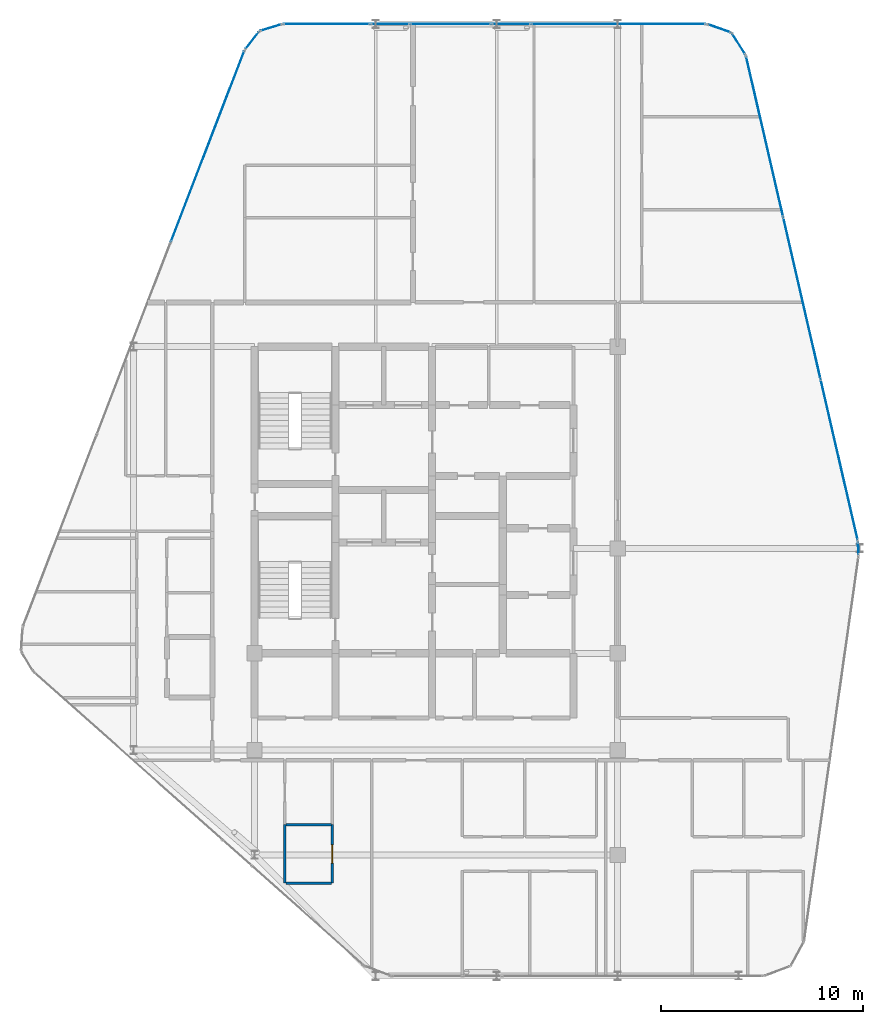
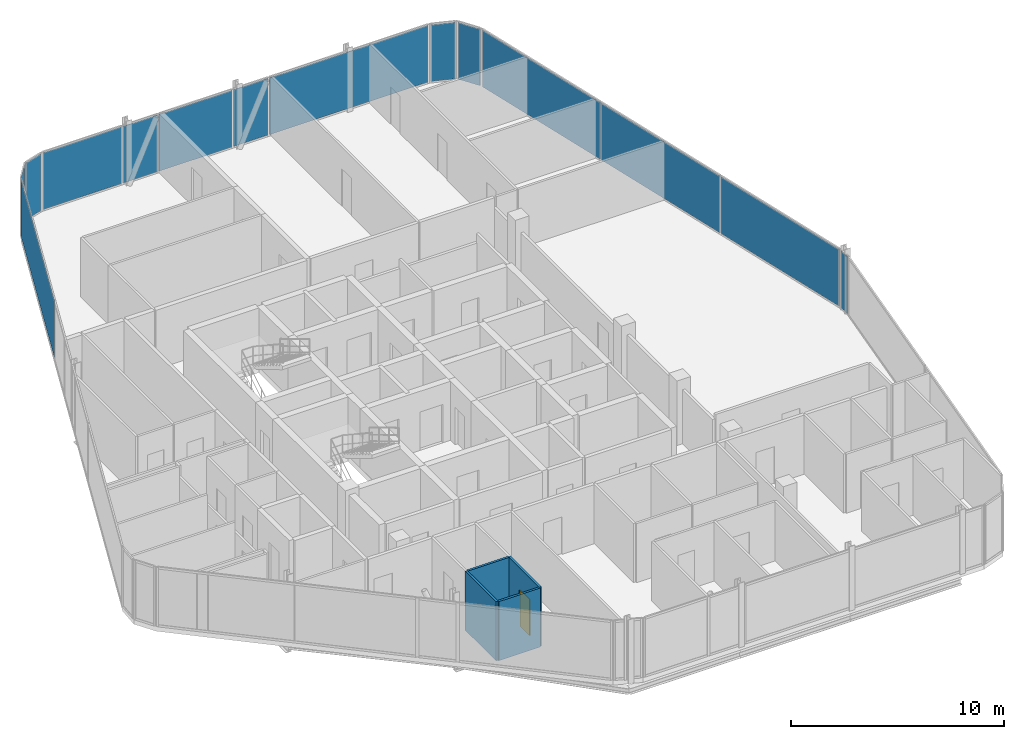
# One storey, part 21 of 27: 14 plates, 4 walls, 1 door, 1 opening, 12 elements without a shape of their own.
"""IFC4 building model written with IfcOpenShell, lengths in metres."""

from ifc_helpers import new_model, si_unit, direction, frame, frame_2d, origin, origin_2d, place, context, subcontext, project, spatial, rectangle, extrude, material, layer, layer_set, type_object, element, fill, aggregate, save


model = new_model("IFC4")

# Units and contexts
model_context = context("Model", 3, precision=1e-05, world=origin(), true_north=direction((0.0, 1.0)))
body_context = subcontext(model_context, "Body", "Model", "MODEL_VIEW")
ifc_project = project(units=[si_unit("LENGTHUNIT", "METRE"), si_unit("AREAUNIT", "SQUARE_METRE"), si_unit("VOLUMEUNIT", "CUBIC_METRE"), si_unit("PLANEANGLEUNIT", "RADIAN"), si_unit("MASSUNIT", "GRAM", prefix="KILO")], contexts=[model_context])

# Site, building, storey
site_placement = place(None, origin())
site = spatial("IfcSite", under=ifc_project, at=site_placement, CompositionType="ELEMENT")
building_placement = place(site_placement, origin())
building = spatial("IfcBuilding", under=site, at=building_placement, Name="Keshet Zoharim Tower", CompositionType="ELEMENT")
storey_placement = place(building_placement, frame((0.0, 0.0, 254.699951171875)))
storey = spatial("IfcBuildingStorey", under=building, at=storey_placement, Name="L63", CompositionType="ELEMENT", Elevation=254.699951171875)

# Curtain wall, plate
ifc_material_1 = material(Name="Aluminium 6063-T6", Category="aluminium")
ifc_layer_1 = layer(ifc_material_1, 0.260009765625)
ifc_layer_set_1 = layer_set([ifc_layer_1], Name="Aluminium 6063-T6")
curtain_wall_type = type_object("IfcCurtainWallType", Name="CW-SYS-06", PredefinedType="NOTDEFINED", material=ifc_layer_set_1)
curtain_wall_1_placement = place(storey_placement, origin())
curtain_wall_1 = element("IfcCurtainWall", 1, at=curtain_wall_1_placement, inside=storey, type_object=curtain_wall_type, Name="L63 Unitised Curtain Wall 03", PredefinedType="NOTDEFINED")
ifc_material_2 = material(Name="Insulated Low-E Clear Glass", Category="glass")
ifc_layer_2 = layer(ifc_material_2, 0.028076171875)
ifc_layer_set_2 = layer_set([ifc_layer_2], Name="Insulated Low-E Clear Glass")
plate_type_1 = type_object("IfcPlateType", Name="CWP-03", PredefinedType="CURTAIN_PANEL", material=ifc_layer_set_2)
plate_1_placement = place(storey_placement, frame((12.665771484375, 47.830810546875, 0.070068359375), z_axis=(0.0, 0.0, 1.0), x_axis=(0.358990003907, 0.933341404361, 0.0)))
plate_1 = element("IfcPlate", 2, at=plate_1_placement, type_object=plate_type_1, Name="CW-06 panel 3.1", PredefinedType="CURTAIN_PANEL", context=body_context, shape_type="SweptSolid", body=[
    extrude(rectangle(XDim=10.1181640625, YDim=0.028076171875, at=origin_2d()), origin(), (0.0, 0.0, 1.0), 3.25),
])
aggregate(curtain_wall_1, [plate_1])

curtain_wall_2_placement = place(storey_placement, origin())
curtain_wall_2 = element("IfcCurtainWall", 3, at=curtain_wall_2_placement, inside=storey, type_object=curtain_wall_type, Name="L63 Unitised Curtain Wall 04", PredefinedType="NOTDEFINED")
plate_2_placement = place(storey_placement, frame((14.8740234375, 53.08349609375, 0.070068359375), z_axis=(0.0, 0.0, 1.0), x_axis=(0.619124525989, 0.785292825205, 0.0)))
plate_2 = element("IfcPlate", 4, at=plate_2_placement, type_object=plate_type_1, Name="CW-06 panel 1.1", PredefinedType="CURTAIN_PANEL", context=body_context, shape_type="SweptSolid", body=[
    extrude(rectangle(XDim=1.045654296875, YDim=0.028076171875, at=origin_2d()), origin(), (0.0, 0.0, 1.0), 3.25),
])
aggregate(curtain_wall_2, [plate_2])

curtain_wall_3_placement = place(storey_placement, origin())
curtain_wall_3 = element("IfcCurtainWall", 5, at=curtain_wall_3_placement, inside=storey, type_object=curtain_wall_type, Name="L63 Unitised Curtain Wall 05", PredefinedType="NOTDEFINED")
plate_3_placement = place(storey_placement, frame((15.8076171875, 53.724609375, 0.070068359375), z_axis=(0.0, 0.0, 1.0), x_axis=(0.955212151288, 0.295921857984, 0.0)))
plate_3 = element("IfcPlate", 6, at=plate_3_placement, type_object=plate_type_1, Name="CW-06 panel 1.1", PredefinedType="CURTAIN_PANEL", context=body_context, shape_type="SweptSolid", body=[
    extrude(rectangle(XDim=1.046142578125, YDim=0.028076171875, at=origin_2d()), origin(), (0.0, 0.0, 1.0), 3.25),
])
aggregate(curtain_wall_3, [plate_3])

curtain_wall_4_placement = place(storey_placement, origin())
curtain_wall_4 = element("IfcCurtainWall", 7, at=curtain_wall_4_placement, inside=storey, type_object=curtain_wall_type, Name="L63 Unitised Curtain Wall 06", PredefinedType="NOTDEFINED")
plate_4_placement = place(storey_placement, frame((18.57470703125, 53.89990234375, 0.070068359375), z_axis=(0.0, 0.0, 1.0), x_axis=(1.0, 0.0, 0.0)))
plate_4 = element("IfcPlate", 8, at=plate_4_placement, type_object=plate_type_1, Name="CW-06 panel 1.1", PredefinedType="CURTAIN_PANEL", context=body_context, shape_type="SweptSolid", body=[
    extrude(rectangle(XDim=4.26123046875, YDim=0.028076171875, at=origin_2d()), origin(), (0.0, 0.0, 1.0), 3.25),
])
aggregate(curtain_wall_4, [plate_4])

curtain_wall_5_placement = place(storey_placement, origin())
curtain_wall_5 = element("IfcCurtainWall", 9, at=curtain_wall_5_placement, inside=storey, type_object=curtain_wall_type, Name="L63 Unitised Curtain Wall 06 Part 3", PredefinedType="NOTDEFINED")
plate_5_placement = place(storey_placement, frame((24.715087890625, 53.89990234375, 0.070068359375), z_axis=(0.0, 0.0, 1.0), x_axis=(1.0, 0.0, 0.0)))
plate_5 = element("IfcPlate", 10, at=plate_5_placement, type_object=plate_type_1, Name="CW-06 panel 1.1", PredefinedType="CURTAIN_PANEL", context=body_context, shape_type="SweptSolid", body=[
    extrude(rectangle(XDim=3.98046875, YDim=0.028076171875, at=origin_2d()), origin(), (0.0, 0.0, 1.0), 3.25),
])
aggregate(curtain_wall_5, [plate_5])

curtain_wall_6_placement = place(storey_placement, origin())
curtain_wall_6 = element("IfcCurtainWall", 11, at=curtain_wall_6_placement, inside=storey, type_object=curtain_wall_type, Name="L63 Unitised Curtain Wall 06 Part 5", PredefinedType="NOTDEFINED")
plate_6_placement = place(storey_placement, frame((33.031982421875, 53.89990234375, 0.070068359375), z_axis=(0.0, 0.0, 1.0), x_axis=(1.0, 0.0, 0.0)))
plate_6 = element("IfcPlate", 12, at=plate_6_placement, type_object=plate_type_1, Name="CW-06 panel 1.1", PredefinedType="CURTAIN_PANEL", context=body_context, shape_type="SweptSolid", body=[
    extrude(rectangle(XDim=8.6142578125, YDim=0.028076171875, at=origin_2d()), origin(), (0.0, 0.0, 1.0), 3.25),
])
aggregate(curtain_wall_6, [plate_6])

curtain_wall_7_placement = place(storey_placement, origin())
curtain_wall_7 = element("IfcCurtainWall", 13, at=curtain_wall_7_placement, inside=storey, type_object=curtain_wall_type, Name="L63 Unitised Curtain Wall 07", PredefinedType="NOTDEFINED")
plate_7_placement = place(storey_placement, frame((38.031494140625, 53.6826171875, 0.070068359375), z_axis=(0.0, 0.0, 1.0), x_axis=(0.944035542119, -0.329843743636, 0.0)))
plate_7 = element("IfcPlate", 14, at=plate_7_placement, type_object=plate_type_1, Name="CW-06 panel 1.1", PredefinedType="CURTAIN_PANEL", context=body_context, shape_type="SweptSolid", body=[
    extrude(rectangle(XDim=1.1787109375, YDim=0.028076171875, at=origin_2d()), origin(), (0.0, 0.0, 1.0), 3.25),
])
aggregate(curtain_wall_7, [plate_7])

curtain_wall_8_placement = place(storey_placement, origin())
curtain_wall_8 = element("IfcCurtainWall", 15, at=curtain_wall_8_placement, inside=storey, type_object=curtain_wall_type, Name="L63 Unitised Curtain Wall 08", PredefinedType="NOTDEFINED")
plate_8_placement = place(storey_placement, frame((39.006103515625, 52.907470703125, 0.070068359375), z_axis=(0.0, 0.0, 1.0), x_axis=(0.533878858502, -0.845560976183, 0.0)))
plate_8 = element("IfcPlate", 16, at=plate_8_placement, type_object=plate_type_1, Name="CW-06 panel 1.1", PredefinedType="CURTAIN_PANEL", context=body_context, shape_type="SweptSolid", body=[
    extrude(rectangle(XDim=1.1787109375, YDim=0.028076171875, at=origin_2d()), origin(), (0.0, 0.0, 1.0), 3.25),
])
aggregate(curtain_wall_8, [plate_8])

# Curtain wall, plates
curtain_wall_9_placement = place(storey_placement, origin())
curtain_wall_9 = element("IfcCurtainWall", 17, at=curtain_wall_9_placement, inside=storey, type_object=curtain_wall_type, Name="L63 Unitised Curtain Wall 09", PredefinedType="NOTDEFINED")
plate_9_placement = place(storey_placement, frame((40.288330078125, 48.318359375, 0.070068359375), z_axis=(0.0, 0.0, 1.0), x_axis=(0.224829963294, -0.974398012932, 0.0)))
plate_9 = element("IfcPlate", 18, at=plate_9_placement, type_object=plate_type_1, Name="CW-06 panel 1.1", PredefinedType="CURTAIN_PANEL", context=body_context, shape_type="SweptSolid", body=[
    extrude(rectangle(XDim=8.13525390625, YDim=0.028076171875, at=origin_2d()), origin(), (0.0, 0.0, 1.0), 3.25),
])
plate_10_placement = place(storey_placement, frame((42.136962890625, 40.305908203125, 0.070068359375), z_axis=(0.0, 0.0, 1.0), x_axis=(0.224829963294, -0.974398012932, 0.0)))
plate_10 = element("IfcPlate", 19, at=plate_10_placement, type_object=plate_type_1, Name="CW-06 panel 2.1", PredefinedType="CURTAIN_PANEL", context=body_context, shape_type="SweptSolid", body=[
    extrude(rectangle(XDim=8.17041015625, YDim=0.028076171875, at=origin_2d()), origin(), (0.0, 0.0, 1.0), 3.25),
])
plate_11_placement = place(storey_placement, frame((43.98583984375, 32.293701171875, 0.070068359375), z_axis=(0.0, 0.0, 1.0), x_axis=(0.224829963294, -0.974398012932, 0.0)))
plate_11 = element("IfcPlate", 20, at=plate_11_placement, type_object=plate_type_1, Name="CW-06 panel 3.1", PredefinedType="CURTAIN_PANEL", context=body_context, shape_type="SweptSolid", body=[
    extrude(rectangle(XDim=8.13525390625, YDim=0.028076171875, at=origin_2d()), origin(), (0.0, 0.0, 1.0), 3.25),
])
aggregate(curtain_wall_9, [plate_9, plate_10, plate_11])

# Curtain wall, plate
curtain_wall_10_placement = place(storey_placement, origin())
curtain_wall_10 = element("IfcCurtainWall", 21, at=curtain_wall_10_placement, inside=storey, type_object=curtain_wall_type, Name="L63 Unitised Curtain Wall 10", PredefinedType="NOTDEFINED")
plate_12_placement = place(storey_placement, frame((44.931884765625, 27.89697265625, 0.070068359375), z_axis=(0.0, 0.0, 1.0), x_axis=(0.043793560626, -0.999040601801, 0.0)))
plate_12 = element("IfcPlate", 22, at=plate_12_placement, type_object=plate_type_1, Name="CW-06 panel 1.1", PredefinedType="CURTAIN_PANEL", context=body_context, shape_type="SweptSolid", body=[
    extrude(rectangle(XDim=0.5908203125, YDim=0.028076171875, at=origin_2d()), origin(), (0.0, 0.0, 1.0), 3.25),
])
aggregate(curtain_wall_10, [plate_12])

curtain_wall_11_placement = place(storey_placement, origin())
curtain_wall_11 = element("IfcCurtainWall", 23, at=curtain_wall_11_placement, inside=storey, type_object=curtain_wall_type, Name="L63 Unitised Curtain Wall 06 Part 2", PredefinedType="NOTDEFINED")
ifc_material_3 = material(Name="Insulated Aluminium Spandrel Panel", Category="aluminium")
ifc_layer_3 = layer(ifc_material_3, 0.028076171875)
ifc_layer_set_3 = layer_set([ifc_layer_3], Name="Insulated Aluminium Spandrel Panel")
plate_type_2 = type_object("IfcPlateType", Name="CWP-06", PredefinedType="CURTAIN_PANEL", material=ifc_layer_set_3)
plate_13_placement = place(storey_placement, frame((21.715087890625, 53.89990234375, 0.070068359375), z_axis=(0.0, 0.0, 1.0), x_axis=(1.0, 0.0, 0.0)))
plate_13 = element("IfcPlate", 24, at=plate_13_placement, type_object=plate_type_2, Name="CW-06 spandrel panel 1.1", PredefinedType="CURTAIN_PANEL", context=body_context, shape_type="SweptSolid", body=[
    extrude(rectangle(XDim=1.879638671875, YDim=0.028076171875, at=origin_2d()), origin(), (0.0, 0.0, 1.0), 3.25),
])
aggregate(curtain_wall_11, [plate_13])

curtain_wall_12_placement = place(storey_placement, origin())
curtain_wall_12 = element("IfcCurtainWall", 25, at=curtain_wall_12_placement, inside=storey, type_object=curtain_wall_type, Name="L63 Unitised Curtain Wall 06 Part 4", PredefinedType="NOTDEFINED")
plate_14_placement = place(storey_placement, frame((27.715087890625, 53.89990234375, 0.070068359375), z_axis=(0.0, 0.0, 1.0), x_axis=(1.0, 0.0, 0.0)))
plate_14 = element("IfcPlate", 26, at=plate_14_placement, type_object=plate_type_2, Name="CW-06 spandrel panel 1.1", PredefinedType="CURTAIN_PANEL", context=body_context, shape_type="SweptSolid", body=[
    extrude(rectangle(XDim=1.879638671875, YDim=0.028076171875, at=origin_2d()), origin(), (0.0, 0.0, 1.0), 3.25),
])
aggregate(curtain_wall_12, [plate_14])

# Wall
ifc_material_4 = material(Name="Gypsum Plasterboard", Category="gypsum")
ifc_layer_4 = layer(ifc_material_4, 0.1201171875)
ifc_layer_set_4 = layer_set([ifc_layer_4], Name="Gypsum Plasterboard")
wall_type = type_object("IfcWallType", Name="WL-WET-120", PredefinedType="PARTITIONING", material=ifc_layer_set_4)
wall_1_placement = place(storey_placement, frame((16.5, 11.300048828125, 0.0), z_axis=(0.0, 0.0, 1.0), x_axis=(0.0, 1.0, 0.0)))
element("IfcWall", 27, at=wall_1_placement, inside=storey, type_object=wall_type, Name="L63 Interior Wall 022", PredefinedType="PARTITIONING", context=body_context, shape_type="SweptSolid", body=[
    extrude(rectangle(XDim=2.89990234375, YDim=0.1201171875, at=frame_2d((1.449951171875, 0.0))), origin(), (0.0, 0.0, 1.0), 3.39013671875),
])

# Wall, opening, door
wall_2_placement = place(storey_placement, frame((18.85009765625, 11.300048828125, 0.0), z_axis=(0.0, 0.0, 1.0), x_axis=(0.0, 1.0, 0.0)))
wall_2 = element("IfcWall", 28, at=wall_2_placement, inside=storey, type_object=wall_type, Name="L63 Interior Wall 024", PredefinedType="PARTITIONING", context=body_context, shape_type="SweptSolid", body=[
    extrude(rectangle(XDim=2.89990234375, YDim=0.1201171875, at=frame_2d((1.449951171875, 0.0))), origin(), (0.0, 0.0, 1.0), 3.39013671875),
])
opening_placement = place(wall_2_placement, frame((1.0, 0.0, 0.0)))
opening = element("IfcOpeningElement", 29, at=opening_placement, cuts=wall_2, Name="Opening D-WT90", PredefinedType="OPENING", context=body_context, shape_type="SweptSolid", body=[
    extrude(rectangle(XDim=0.89990234375, YDim=2.10009765625, at=frame_2d((0.449951171875, 1.050048828125))), frame((0.0, 0.070068359375, 0.0), z_axis=(0.0, -1.0, 0.0), x_axis=(1.0, 0.0, 0.0)), (0.0, 0.0, 1.0), 0.14013671875),
])
ifc_material_5 = material(Name="Hardwood Timber", Category="wood")
door_type = type_object("IfcDoorType", Name="DR-WET-090", OperationType="NOTDEFINED", PredefinedType="DOOR", material=ifc_material_5)
door_placement = place(opening_placement, origin())
door = element("IfcDoor", 30, at=door_placement, inside=storey, type_object=door_type, Name="Apartment 6301 Bathroom Door", OperationType="SINGLE_SWING_LEFT", OverallHeight=2.10009765625, OverallWidth=0.89990234375, PredefinedType="DOOR", context=body_context, shape_type="SweptSolid", body=[
    extrude(rectangle(XDim=0.89990234375, YDim=2.10009765625, at=frame_2d((0.449951171875, 1.050048828125))), frame((0.0, 0.02490234375, 0.0), z_axis=(0.0, -1.0, 0.0), x_axis=(1.0, 0.0, 0.0)), (0.0, 0.0, 1.0), 0.050048828125),
])
fill(opening, door)

# Walls
for number, where, z_axis, x_axis, name in (
    (31, (16.554931640625, 11.300048828125, 0.0), (0.0, 0.0, 1.0), (1.0, 0.0, 0.0), "L63 Interior Wall 072"),
    (32, (16.554931640625, 14.199951171875, 0.0), (0.0, 0.0, 1.0), (1.0, 0.0, 0.0), "L63 Interior Wall 079"),
):
    element("IfcWall", number, at=place(storey_placement, frame(where, z_axis=z_axis, x_axis=x_axis)), inside=storey, type_object=wall_type, Name=name, PredefinedType="PARTITIONING", context=body_context, shape_type="SweptSolid", body=[
        extrude(rectangle(XDim=2.260009765625, YDim=0.1201171875, at=frame_2d((1.1298828125, 0.0))), origin(), (0.0, 0.0, 1.0), 3.39013671875),
    ])

save(model, "model.ifc")
